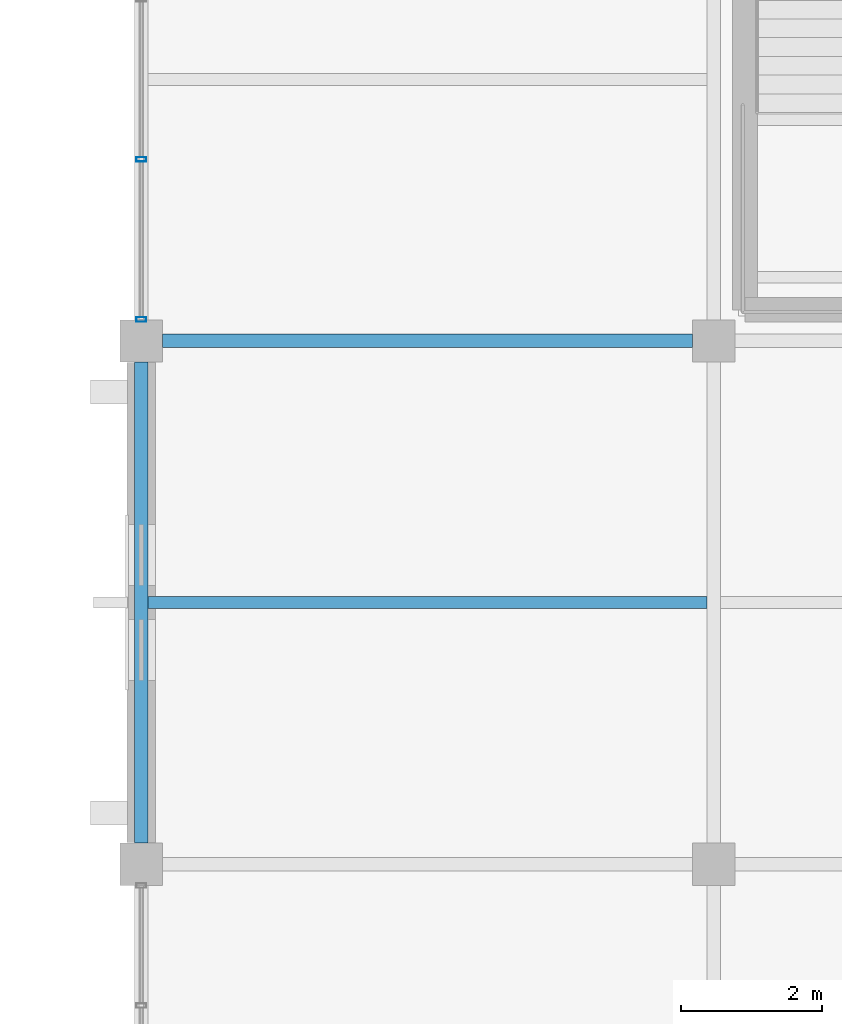
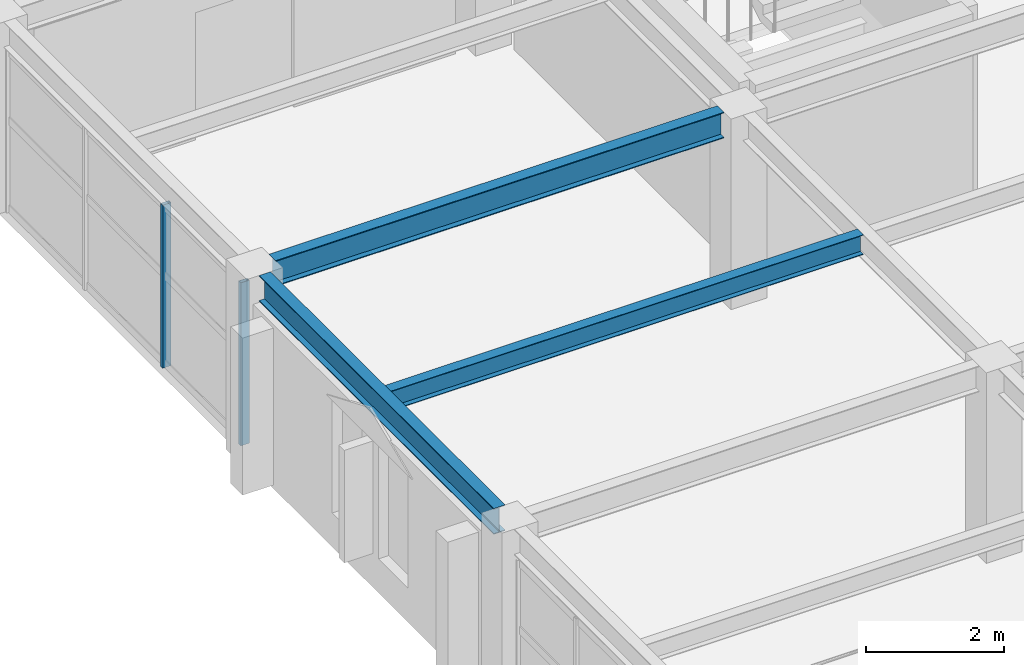
# One storey, part 19 of 121: 3 beams, 2 members, 1 element without a shape of its own.
"""IFC4 building model written with IfcOpenShell, lengths in metres."""

from ifc_helpers import new_model, si_unit, direction, frame, origin, origin_2d, place, context, subcontext, project, spatial, hollow_rectangle, i_section, extrude, material, material_profile, profile_set, type_object, element, aggregate, save


model = new_model("IFC4")

# Units and contexts
model_context = context("Model", 3, precision=1e-05, world=origin(), true_north=direction((0.0, 1.0)))
body_context = subcontext(model_context, "Body", "Model", "MODEL_VIEW")
ifc_project = project(units=[si_unit("LENGTHUNIT", "METRE"), si_unit("AREAUNIT", "SQUARE_METRE"), si_unit("VOLUMEUNIT", "CUBIC_METRE"), si_unit("PLANEANGLEUNIT", "RADIAN"), si_unit("MASSUNIT", "GRAM", prefix="KILO")], contexts=[model_context])

# Site, building, storey
site_placement = place(None, origin())
site = spatial("IfcSite", under=ifc_project, at=site_placement, CompositionType="ELEMENT")
building_placement = place(site_placement, origin())
building = spatial("IfcBuilding", under=site, at=building_placement, Name="Cimatlan Art Gallery", CompositionType="ELEMENT")
storey_placement = place(building_placement, frame((0.0, 0.0, 10.199951171875)))
storey = spatial("IfcBuildingStorey", under=building, at=storey_placement, Name="L02", CompositionType="ELEMENT", Elevation=10.199951171875)

# Beams
ifc_material_1 = material(Name="Steel ASTM A992 Grade 50", Category="steel")
ifc_material_profile_1 = material_profile(ifc_material_1, i_section(OverallWidth=0.1708984375, OverallDepth=0.35107421875, WebThickness=0.0068359375, FlangeThickness=0.009765625, at=origin_2d()), Name="W14X30")
ifc_profile_set_1 = profile_set([ifc_material_profile_1], Name="Steel ASTM A992 Grade 50")
beam_type_1 = type_object("IfcBeamType", Name="BM-STL-W14X30", PredefinedType="JOIST", material=ifc_profile_set_1)
beam_1_placement = place(storey_placement, frame((34.49560546875, 49.800048828125, 3.194580078125), z_axis=(1.0, 0.0, 0.0), x_axis=(0.0, 1.0, 0.0)))
element("IfcBeam", 1, at=beam_1_placement, inside=storey, type_object=beam_type_1, Name="JST-L02-04-06", PredefinedType="JOIST", context=body_context, shape_type="SweptSolid", body=[
    extrude(i_section(OverallWidth=0.1708984375, OverallDepth=0.35107421875, WebThickness=0.0068359375, FlangeThickness=0.009765625, at=origin_2d()), origin(), (0.0, 0.0, 1.0), 7.908935546875),
])
ifc_material_profile_2 = material_profile(ifc_material_1, i_section(OverallWidth=0.19091796875, OverallDepth=0.45703125, WebThickness=0.009033203125, FlangeThickness=0.014404296875, at=origin_2d()), Name="W18X50")
ifc_profile_set_2 = profile_set([ifc_material_profile_2], Name="Steel ASTM A992 Grade 50")
beam_type_2 = type_object("IfcBeamType", Name="BM-STL-W18X50", PredefinedType="BEAM", material=ifc_profile_set_2)
beam_2_placement = place(storey_placement, frame((34.39990234375, 46.39990234375, 3.1416015625), z_axis=(0.0, 1.0, 0.0), x_axis=(-1.0, 0.0, 0.0)))
element("IfcBeam", 2, at=beam_2_placement, inside=storey, type_object=beam_type_2, Name="BM-Y-L02-04-06", PredefinedType="BEAM", context=body_context, shape_type="SweptSolid", body=[
    extrude(i_section(OverallWidth=0.19091796875, OverallDepth=0.45703125, WebThickness=0.009033203125, FlangeThickness=0.014404296875, at=origin_2d()), origin(), (0.0, 0.0, 1.0), 6.800048828125),
])
beam_3_placement = place(storey_placement, frame((34.699951171875, 53.5, 3.1416015625), z_axis=(1.0, 0.0, 0.0), x_axis=(0.0, 1.0, 0.0)))
element("IfcBeam", 3, at=beam_3_placement, inside=storey, type_object=beam_type_2, Name="BM-X-L02-04-07", PredefinedType="BEAM", context=body_context, shape_type="SweptSolid", body=[
    extrude(i_section(OverallWidth=0.19091796875, OverallDepth=0.45703125, WebThickness=0.009033203125, FlangeThickness=0.014404296875, at=origin_2d()), origin(), (0.0, 0.0, 1.0), 7.5),
])

# Curtain wall, members
ifc_material_2 = material(Name="Anodised bronze unitised curtain wall")
curtain_wall_type = type_object("IfcCurtainWallType", Name="CW-V-06792X02883-B3", PredefinedType="NOTDEFINED", material=ifc_material_2)
curtain_wall_placement = place(storey_placement, origin())
curtain_wall = element("IfcCurtainWall", 4, at=curtain_wall_placement, inside=storey, type_object=curtain_wall_type, Name="CW-L02-04-07-W", PredefinedType="NOTDEFINED")
ifc_material_3 = material(Name="Anodised bronze aluminium 6063-T6", Category="aluminium")
ifc_material_profile_3 = material_profile(ifc_material_3, hollow_rectangle(XDim=0.06494140625, YDim=0.139892578125, WallThickness=0.00390625, at=origin_2d()), Name="ALU65X140X4")
ifc_profile_set_3 = profile_set([ifc_material_profile_3], Name="Anodised bronze aluminium 6063-T6")
member_type = type_object("IfcMemberType", Name="CW-MUL-140", PredefinedType="MULLION", material=ifc_profile_set_3)
member_1_placement = place(storey_placement, frame((34.39990234375, 53.803955078125, 0.0), z_axis=(0.0, 0.0, 1.0), x_axis=(0.0, 1.0, 0.0)))
member_1 = element("IfcMember", 5, at=member_1_placement, type_object=member_type, Name="CW-L02-04-07-W-M1", PredefinedType="MULLION", context=body_context, shape_type="SweptSolid", body=[
    extrude(hollow_rectangle(XDim=0.06494140625, YDim=0.139892578125, WallThickness=0.00390625, at=origin_2d()), origin(), (0.0, 0.0, 1.0), 2.883056640625),
])
member_2_placement = place(storey_placement, frame((34.39990234375, 56.068115234375, 0.0), z_axis=(0.0, 0.0, 1.0), x_axis=(0.0, 1.0, 0.0)))
member_2 = element("IfcMember", 6, at=member_2_placement, type_object=member_type, Name="CW-L02-04-07-W-M2", PredefinedType="MULLION", context=body_context, shape_type="SweptSolid", body=[
    extrude(hollow_rectangle(XDim=0.06494140625, YDim=0.139892578125, WallThickness=0.00390625, at=origin_2d()), origin(), (0.0, 0.0, 1.0), 2.883056640625),
])
aggregate(curtain_wall, [member_1, member_2])

save(model, "model.ifc")
